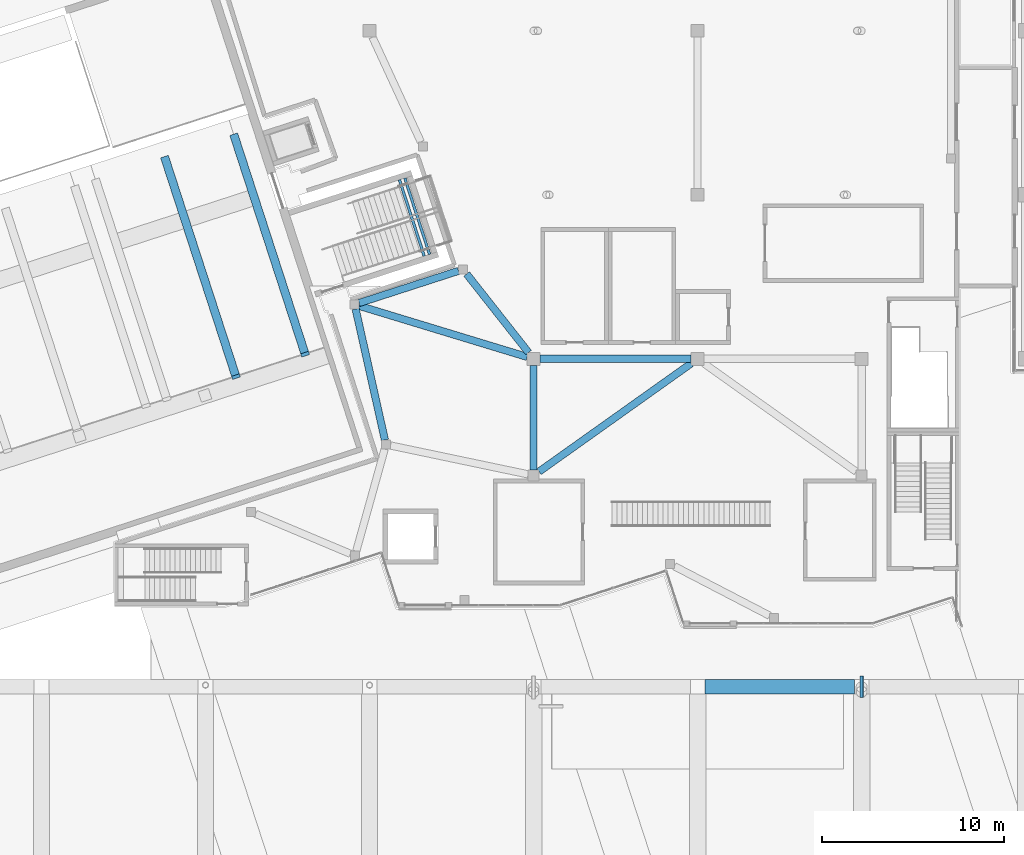
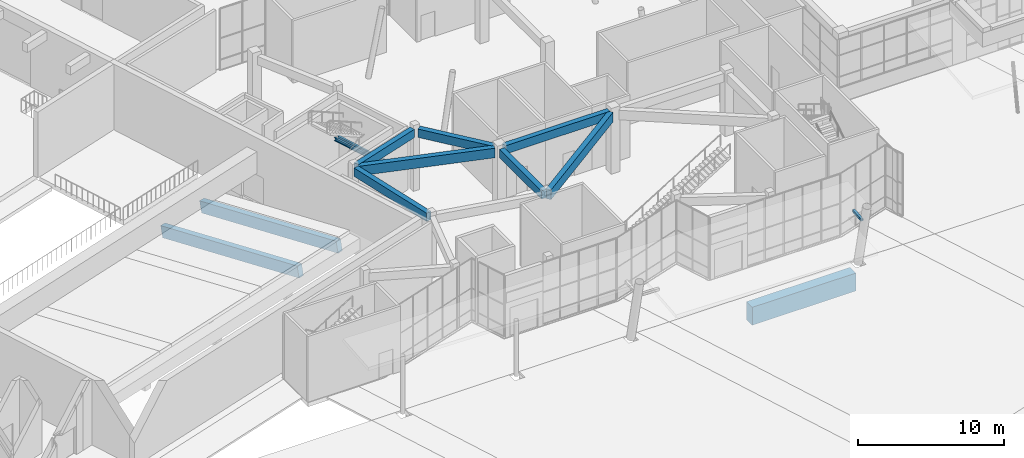
# One storey, part 11 of 72: 12 beams, 1 member.
"""IFC4 building model written with IfcOpenShell, lengths in metres."""

from ifc_helpers import new_model, si_unit, direction, frame, origin, origin_2d, place, context, subcontext, project, spatial, rectangle, hollow_rectangle, i_section, extrude, material, material_profile, profile_set, type_object, element, save


model = new_model("IFC4")

# Units and contexts
model_context = context("Model", 3, precision=1e-05, world=origin(), true_north=direction((0.0, 1.0)))
body_context = subcontext(model_context, "Body", "Model", "MODEL_VIEW")
ifc_project = project(units=[si_unit("LENGTHUNIT", "METRE"), si_unit("AREAUNIT", "SQUARE_METRE"), si_unit("VOLUMEUNIT", "CUBIC_METRE"), si_unit("PLANEANGLEUNIT", "RADIAN"), si_unit("MASSUNIT", "GRAM", prefix="KILO")], contexts=[model_context])

# Site, building, storey
site_placement = place(None, origin())
site = spatial("IfcSite", under=ifc_project, at=site_placement, CompositionType="ELEMENT")
building_placement = place(site_placement, origin())
building = spatial("IfcBuilding", under=site, at=building_placement, Name="Tuart Plaza Theatre", CompositionType="ELEMENT")
storey_placement = place(building_placement, origin())
storey = spatial("IfcBuildingStorey", under=building, at=storey_placement, Name="L00", CompositionType="ELEMENT", Elevation=0.0)

# Beams
ifc_material_1 = material(Name="Steel Grade 300", Category="steel")
ifc_material_profile_1 = material_profile(ifc_material_1, i_section(OverallWidth=0.14599609375, OverallDepth=0.256103515625, WebThickness=0.00634765625, FlangeThickness=0.010986328125, FilletRadius=0.0087890625, at=origin_2d()), Name="250UB37.3")
ifc_profile_set_1 = profile_set([ifc_material_profile_1], Name="Steel Grade 300")
beam_type_1 = type_object("IfcBeamType", Name="BEAM 250UB37.3", PredefinedType="BEAM", material=ifc_profile_set_1)
beam_1_placement = place(storey_placement, frame((81.295166015625, 61.73681640625, 2.422119140625), z_axis=(-0.30901079133, 0.951058531764, 0.0), x_axis=(-0.951058531764, -0.30901079133, 0.0)))
element("IfcBeam", 1, at=beam_1_placement, inside=storey, type_object=beam_type_1, Name="SB25", PredefinedType="BEAM", context=body_context, shape_type="SweptSolid", body=[
    extrude(i_section(OverallWidth=0.14599609375, OverallDepth=0.256103515625, WebThickness=0.00634765625, FlangeThickness=0.010986328125, FilletRadius=0.0087890625, at=origin_2d()), origin(), (0.0, 0.0, 1.0), 4.39990234375),
])
beam_2_placement = place(storey_placement, frame((81.00048828125, 61.640869140625, 2.422119140625), z_axis=(-0.309044670918, 0.951047523196, 0.0), x_axis=(-0.951047523196, -0.309044670918, 0.0)))
element("IfcBeam", 2, at=beam_2_placement, inside=storey, type_object=beam_type_1, Name="SB26", PredefinedType="BEAM", context=body_context, shape_type="SweptSolid", body=[
    extrude(i_section(OverallWidth=0.14599609375, OverallDepth=0.256103515625, WebThickness=0.00634765625, FlangeThickness=0.010986328125, FilletRadius=0.0087890625, at=origin_2d()), origin(), (0.0, 0.0, 1.0), 4.400146484375),
])
ifc_material_2 = material(Name="Concrete N40 (40 MPa)", Category="concrete")
ifc_material_profile_2 = material_profile(ifc_material_2, rectangle(XDim=0.39990234375, YDim=0.699951171875, at=origin_2d()), Name="BEAM 400x700 Concrete N40 (40 MPa)")
ifc_profile_set_2 = profile_set([ifc_material_profile_2], Name="Concrete N40 (40 MPa)")
beam_type_2 = type_object("IfcBeamType", Name="BEAM 400x700 Concrete N40 (40 MPa)", PredefinedType="BEAM", material=ifc_profile_set_2)
beam_3_placement = place(storey_placement, frame((87.35009765625, 56.0, 4.85009765625), z_axis=(1.0, 0.0, 0.0), x_axis=(0.0, 1.0, 0.0)))
element("IfcBeam", 3, at=beam_3_placement, inside=storey, type_object=beam_type_2, Name="RB438", PredefinedType="BEAM", context=body_context, shape_type="SweptSolid", body=[
    extrude(rectangle(XDim=0.39990234375, YDim=0.699951171875, at=origin_2d()), origin(), (0.0, 0.0, 1.0), 8.2998046875),
])
beam_4_placement = place(storey_placement, frame((86.72412109375, 56.35009765625, 4.85009765625), z_axis=(-0.619025268414, 0.785371069664, 0.0), x_axis=(-0.785371069664, -0.619025268414, 0.0)))
element("IfcBeam", 4, at=beam_4_placement, inside=storey, type_object=beam_type_2, Name="RB440", PredefinedType="BEAM", context=body_context, shape_type="SweptSolid", body=[
    extrude(rectangle(XDim=0.39990234375, YDim=0.699951171875, at=origin_2d()), origin(), (0.0, 0.0, 1.0), 5.487548828125),
])
beam_5_placement = place(storey_placement, frame((87.0, 55.64990234375, 4.85009765625), z_axis=(0.0, -1.0, 0.0), x_axis=(1.0, 0.0, 0.0)))
element("IfcBeam", 5, at=beam_5_placement, inside=storey, type_object=beam_type_2, Name="RB441", PredefinedType="BEAM", context=body_context, shape_type="SweptSolid", body=[
    extrude(rectangle(XDim=0.39990234375, YDim=0.699951171875, at=origin_2d()), origin(), (0.0, 0.0, 1.0), 5.75),
])
beam_6_placement = place(storey_placement, frame((78.843994140625, 51.550048828125, 4.85009765625), z_axis=(-0.218187204822, 0.975906933909, 0.0), x_axis=(-0.975906933909, -0.218187204822, 0.0)))
element("IfcBeam", 6, at=beam_6_placement, inside=storey, type_object=beam_type_2, Name="RB451", PredefinedType="BEAM", context=body_context, shape_type="SweptSolid", body=[
    extrude(rectangle(XDim=0.39990234375, YDim=0.699951171875, at=origin_2d()), origin(), (0.0, 0.0, 1.0), 7.36279296875),
])
beam_7_placement = place(storey_placement, frame((77.431640625, 59.06640625, 4.85009765625), z_axis=(0.951443049522, 0.307824826024, 0.0), x_axis=(-0.307824826024, 0.951443049522, 0.0)))
element("IfcBeam", 7, at=beam_7_placement, inside=storey, type_object=beam_type_2, Name="RB453", PredefinedType="BEAM", context=body_context, shape_type="SweptSolid", body=[
    extrude(rectangle(XDim=0.39990234375, YDim=0.699951171875, at=origin_2d()), origin(), (0.0, 0.0, 1.0), 5.726318359375),
])
ifc_material_3 = material(Name="Concrete N40 (40 MPa)", Category="concrete")
ifc_material_profile_3 = material_profile(ifc_material_3, rectangle(XDim=0.39990234375, YDim=0.800048828125, at=origin_2d()), Name="BEAM 400x800 Concrete N40 (40 MPa)")
ifc_profile_set_3 = profile_set([ifc_material_profile_3], Name="Concrete N40 (40 MPa)")
beam_type_3 = type_object("IfcBeamType", Name="BEAM 400x800 Concrete N40 (40 MPa)", PredefinedType="BEAM", material=ifc_profile_set_3)
beam_8_placement = place(storey_placement, frame((86.64990234375, 56.1064453125, 4.800048828125), z_axis=(-0.956748419242, 0.290916589897, 0.0), x_axis=(-0.290916589897, -0.956748419242, 0.0)))
element("IfcBeam", 8, at=beam_8_placement, inside=storey, type_object=beam_type_3, Name="RB439", PredefinedType="BEAM", context=body_context, shape_type="SweptSolid", body=[
    extrude(rectangle(XDim=0.39990234375, YDim=0.800048828125, at=origin_2d()), origin(), (0.0, 0.0, 1.0), 9.635009765625),
])
beam_9_placement = place(storey_placement, frame((95.64990234375, 55.751220703125, 4.800048828125), z_axis=(-0.814940819645, -0.579544183369, 0.0), x_axis=(0.579544183369, -0.814940819645, 0.0)))
element("IfcBeam", 9, at=beam_9_placement, inside=storey, type_object=beam_type_3, Name="RB443", PredefinedType="BEAM", context=body_context, shape_type="SweptSolid", body=[
    extrude(rectangle(XDim=0.39990234375, YDim=0.800048828125, at=origin_2d()), origin(), (0.0, 0.0, 1.0), 10.245849609375),
])
ifc_material_4 = material(Name="Concrete N40 (40 MPa)", Category="concrete")
ifc_material_profile_4 = material_profile(ifc_material_4, rectangle(XDim=0.449951171875, YDim=0.949951171875, at=origin_2d()), Name="BEAM 450x950 Concrete N40 SLOPED")
ifc_profile_set_4 = profile_set([ifc_material_profile_4], Name="Concrete N40 (40 MPa)")
beam_type_4 = type_object("IfcBeamType", Name="BEAM 450x950 Concrete N40 SLOPED", PredefinedType="BEAM", material=ifc_profile_set_4)
for number, where, z_axis, x_axis, name in (
    (10, (70.670166015625, 55.02490234375, 1.060546875), (-0.303027158231, 0.932584176726, -0.196115513653), (-0.951052862485, -0.309028239422, 0.0), "RB12"),
    (11, (74.46630859375, 56.25830078125, 1.060546875), (-0.303009902984, 0.932589545904, -0.196116642752), (-0.951058557014, -0.309010713619, 0.0), "RB13"),
):
    element("IfcBeam", number, at=place(storey_placement, frame(where, z_axis=z_axis, x_axis=x_axis)), inside=storey, type_object=beam_type_4, Name=name, PredefinedType="BEAM", context=body_context, shape_type="SweptSolid", body=[
        extrude(rectangle(XDim=0.449951171875, YDim=0.949951171875, at=origin_2d()), origin(), (0.0, 0.0, 1.0), 12.849609375),
    ])
ifc_material_5 = material(Name="Concrete N40 (40 MPa)", Category="concrete")
ifc_material_profile_5 = material_profile(ifc_material_5, rectangle(XDim=0.800048828125, YDim=1.5, at=origin_2d()), Name="BEAM 800x1500 Concrete N40 (40 MPa)")
ifc_profile_set_5 = profile_set([ifc_material_profile_5], Name="Concrete N40 (40 MPa)")
beam_type_5 = type_object("IfcBeamType", Name="BEAM 800x1500 Concrete N40 (40 MPa)", PredefinedType="BEAM", material=ifc_profile_set_5)
beam_10_placement = place(storey_placement, frame((96.39990234375, 38.0, -1.199951171875), z_axis=(1.0, 0.0, 0.0), x_axis=(0.0, 1.0, 0.0)))
element("IfcBeam", 12, at=beam_10_placement, inside=storey, type_object=beam_type_5, Name="RB425", PredefinedType="BEAM", context=body_context, shape_type="SweptSolid", body=[
    extrude(rectangle(XDim=0.800048828125, YDim=1.5, at=origin_2d()), origin(), (0.0, 0.0, 1.0), 8.2001953125),
])

# Member
ifc_material_6 = material(Name="Steel Grade C350L0", Category="steel")
ifc_material_profile_6 = material_profile(ifc_material_6, hollow_rectangle(XDim=0.199951171875, YDim=0.199951171875, WallThickness=0.010009765625, InnerFilletRadius=0.010009765625, OuterFilletRadius=0.02001953125, at=origin_2d()), Name="200x200x10 SHS")
ifc_profile_set_6 = profile_set([ifc_material_profile_6], Name="Steel Grade C350L0")
member_type = type_object("IfcMemberType", Name="CANOPY ARM Arm 200x200x10 SHS", PredefinedType="BRACE", material=ifc_profile_set_6)
member_placement = place(storey_placement, frame((105.0, 37.43359375, 3.954345703125), z_axis=(0.0, 0.99597481103, 0.08963356399), x_axis=(-1.0, 0.0, 0.0)))
element("IfcMember", 13, at=member_placement, inside=storey, type_object=member_type, Name="BR192", PredefinedType="BRACE", context=body_context, shape_type="SweptSolid", body=[
    extrude(hollow_rectangle(XDim=0.199951171875, YDim=0.199951171875, WallThickness=0.010009765625, InnerFilletRadius=0.010009765625, OuterFilletRadius=0.02001953125, at=origin_2d()), origin(), (0.0, 0.0, 1.0), 1.171142578125),
])

save(model, "model.ifc")
